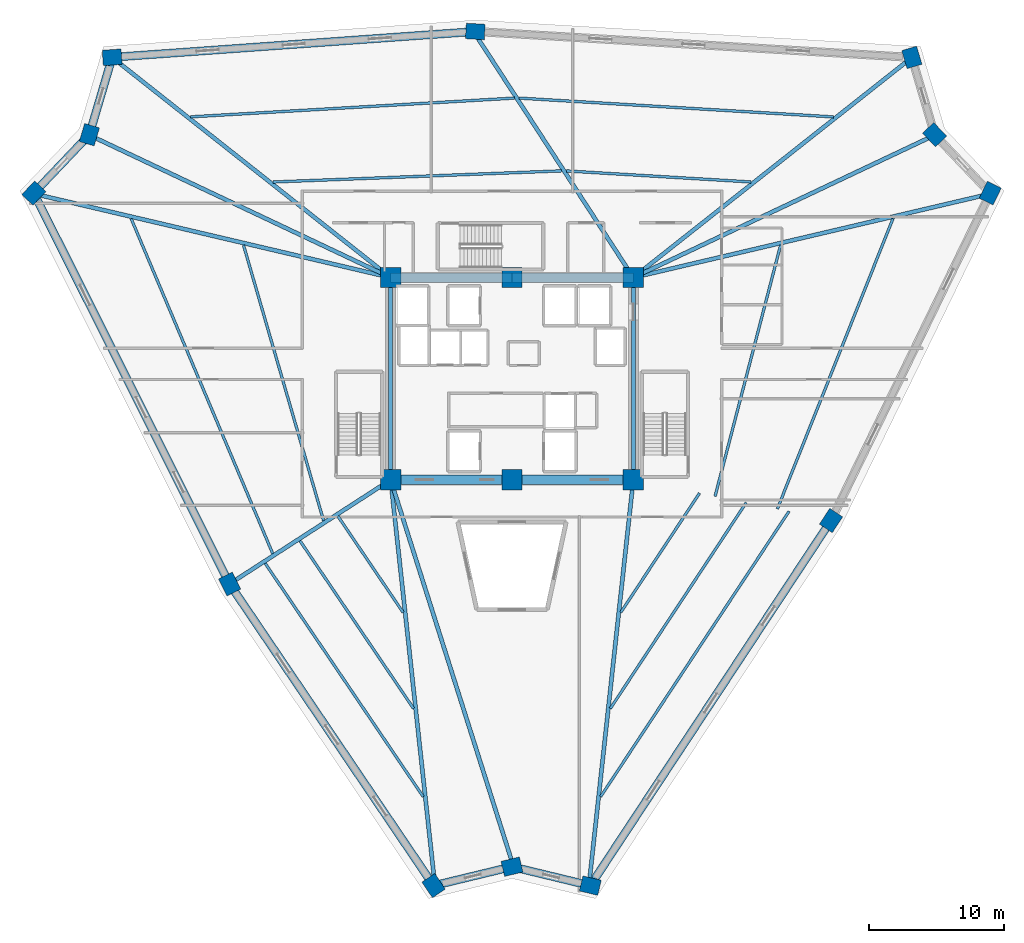
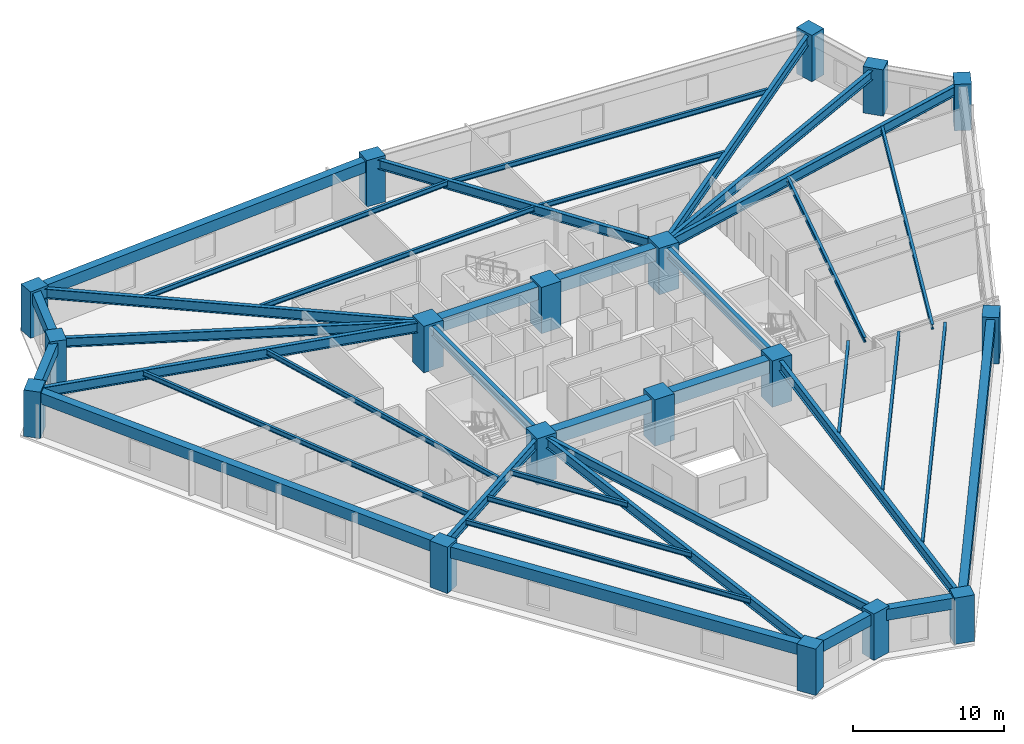
# One storey, part 1 of 8: 39 beams, 18 columns.
"""IFC4 building model written with IfcOpenShell, lengths in metres."""

from ifc_helpers import new_model, si_unit, direction, frame, origin, origin_2d, place, context, subcontext, project, spatial, rectangle, i_section, extrude, source, transform, mapped, material, material_profile, profile_set, type_object, element, save


model = new_model("IFC4")

# Units and contexts
model_context = context("Model", 3, precision=1e-05, world=origin(), true_north=direction((0.0, 1.0)))
body_context = subcontext(model_context, "Body", "Model", "MODEL_VIEW")
ifc_project = project(units=[si_unit("LENGTHUNIT", "METRE"), si_unit("AREAUNIT", "SQUARE_METRE"), si_unit("VOLUMEUNIT", "CUBIC_METRE"), si_unit("PLANEANGLEUNIT", "RADIAN"), si_unit("MASSUNIT", "GRAM", prefix="KILO")], contexts=[model_context])

# Site, building, storey
site_placement = place(None, origin())
site = spatial("IfcSite", under=ifc_project, at=site_placement, CompositionType="ELEMENT")
building_placement = place(site_placement, origin())
building = spatial("IfcBuilding", under=site, at=building_placement, Name="Liaohun Quay Tower", CompositionType="ELEMENT")
storey_placement = place(building_placement, frame((0.0, 0.0, 151.5)))
storey = spatial("IfcBuildingStorey", under=building, at=storey_placement, Name="L39", CompositionType="ELEMENT", Elevation=151.5)

# Columns
ifc_material_1 = material(Name="Concrete C60", Category="concrete")
ifc_material_profile_1 = material_profile(ifc_material_1, rectangle(XDim=1.5, YDim=1.5, at=origin_2d()), Name="RC1500x1500")
ifc_profile_set_1 = profile_set([ifc_material_profile_1], Name="Concrete C60")
column_type_1 = type_object("IfcColumnType", Name="COL-CC-Z2", PredefinedType="COLUMN", material=ifc_profile_set_1)
shared_shape_1 = source(origin(), body_context, "Body", "SweptSolid", [
    extrude(rectangle(XDim=1.5, YDim=1.5, at=origin_2d()), origin(), (0.0, 0.0, 1.0), 3.75),
])
for number, where, z_axis, x_axis, name in (
    (1, (51.0, 46.5, 0.0), (0.0, 0.0, 1.0), (1.0, 0.0, 0.0), "L39 Core Column CC1"),
    (2, (60.0, 46.5, 0.0), (0.0, 0.0, 1.0), (1.0, 0.0, 0.0), "L39 Core Column CC2"),
    (3, (69.0, 46.5, 0.0), (0.0, 0.0, 1.0), (1.0, 0.0, 0.0), "L39 Core Column CC3"),
    (4, (69.0, 61.5, 0.0), (0.0, 0.0, 1.0), (1.0, 0.0, 0.0), "L39 Core Column CC4"),
    (5, (60.0, 61.5, 0.0), (0.0, 0.0, 1.0), (1.0, 0.0, 0.0), "L39 Core Column CC5"),
    (6, (51.0, 61.5, 0.0), (0.0, 0.0, 1.0), (1.0, 0.0, 0.0), "L39 Core Column CC6"),
):
    element("IfcColumn", number, at=place(storey_placement, frame(where, z_axis=z_axis, x_axis=x_axis)), inside=storey, type_object=column_type_1, Name=name, PredefinedType="COLUMN", context=body_context, shape_type="MappedRepresentation", body=[
        mapped(shared_shape_1, transform((0.0, 0.0, 0.0), x_axis=(1.0, 0.0, 0.0), y_axis=(0.0, 1.0, 0.0), z_axis=(0.0, 0.0, 1.0), scale=1.0)),
    ])
ifc_material_profile_2 = material_profile(ifc_material_1, rectangle(XDim=1.39990234375, YDim=1.14990234375, at=origin_2d()), Name="RC1400x1150")
ifc_profile_set_2 = profile_set([ifc_material_profile_2], Name="Concrete C60")
column_type_2 = type_object("IfcColumnType", Name="COL-PIER-Z2", PredefinedType="COLUMN", material=ifc_profile_set_2)
shared_shape_2 = source(origin(), body_context, "Body", "SweptSolid", [
    extrude(rectangle(XDim=1.39990234375, YDim=1.14990234375, at=origin_2d()), origin(), (0.0, 0.0, 1.0), 3.75),
])
for number, where, z_axis, x_axis, name in (
    (7, (54.18505859375, 16.39794921875, 0.0), (0.0, 0.0, 1.0), (-0.560205346355, 0.828353770991, 0.0), "L39 Perimeter Pier PC01"),
    (8, (39.056884765625, 38.764892578125, 0.0), (0.0, 0.0, 1.0), (-0.447759087839, 0.894154236839, 0.0), "L39 Perimeter Pier PC02"),
    (9, (24.532958984375, 67.77001953125, 0.0), (0.0, 0.0, 1.0), (0.689240273721, 0.724532846102, 0.0), "L39 Perimeter Pier PC03"),
    (10, (28.652099609375, 72.09912109375, 0.0), (0.0, 0.0, 1.0), (0.282676303383, 0.959215360337, 0.0), "L39 Perimeter Pier PC04"),
    (11, (30.343994140625, 77.8369140625, 0.0), (0.0, 0.0, 1.0), (0.997478082177, 0.070975175783, 0.0), "L39 Perimeter Pier PC05"),
    (12, (57.278076171875, 79.75390625, 0.0), (0.0, 0.0, 1.0), (-0.998239827924, 0.059306373576, 0.0), "L39 Perimeter Pier PC06"),
    (13, (89.657958984375, 77.830078125, 0.0), (0.0, 0.0, 1.0), (-0.282676303383, 0.959215360337, 0.0), "L39 Perimeter Pier PC07"),
    (14, (91.347900390625, 72.09912109375, 0.0), (0.0, 0.0, 1.0), (-0.689240273721, 0.724532846102, 0.0), "L39 Perimeter Pier PC08"),
    (15, (95.471923828125, 67.763916015625, 0.0), (0.0, 0.0, 1.0), (0.437272735822, 0.899328946775, 0.0), "L39 Perimeter Pier PC09"),
    (16, (83.666015625, 43.48095703125, 0.0), (0.0, 0.0, 1.0), (0.550480740085, 0.834847863263, 0.0), "L39 Perimeter Pier PC10"),
    (17, (65.80810546875, 16.39892578125, 0.0), (0.0, 0.0, 1.0), (-0.972043021443, 0.234802820391, 0.0), "L39 Perimeter Pier PC11"),
    (18, (60.0, 17.802001953125, 0.0), (0.0, 0.0, 1.0), (0.972043021443, 0.234802820391, 0.0), "L39 Perimeter Pier PC12"),
):
    element("IfcColumn", number, at=place(storey_placement, frame(where, z_axis=z_axis, x_axis=x_axis)), inside=storey, type_object=column_type_2, Name=name, PredefinedType="COLUMN", context=body_context, shape_type="MappedRepresentation", body=[
        mapped(shared_shape_2, transform((0.0, 0.0, 0.0), x_axis=(1.0, 0.0, 0.0), y_axis=(0.0, 1.0, 0.0), z_axis=(0.0, 0.0, 1.0), scale=1.0)),
    ])

# Beams
ifc_material_profile_3 = material_profile(ifc_material_1, rectangle(XDim=0.699951171875, YDim=1.050048828125, at=origin_2d()), Name="RC700x1050")
ifc_profile_set_3 = profile_set([ifc_material_profile_3], Name="Concrete C60")
beam_type_1 = type_object("IfcBeamType", Name="BM-CPL-1", PredefinedType="LINTEL", material=ifc_profile_set_3)
shared_shape_3 = source(origin(), body_context, "Body", "SweptSolid", [
    extrude(rectangle(XDim=0.699951171875, YDim=1.050048828125, at=origin_2d()), origin(), (0.0, 0.0, 1.0), 9.0),
])
for number, where, z_axis, x_axis, name in (
    (19, (51.0, 46.5, 3.044921875), (1.0, 0.0, 0.0), (0.0, 1.0, 0.0), "L39 Core Coupling/Ring Beam CC1-CC2"),
    (20, (60.0, 46.5, 3.044921875), (1.0, 0.0, 0.0), (0.0, 1.0, 0.0), "L39 Core Coupling/Ring Beam CC2-CC3"),
    (21, (69.0, 61.5, 3.044921875), (-1.0, 0.0, 0.0), (0.0, -1.0, 0.0), "L39 Core Coupling/Ring Beam CC4-CC5"),
    (22, (60.0, 61.5, 3.044921875), (-1.0, 0.0, 0.0), (0.0, -1.0, 0.0), "L39 Core Coupling/Ring Beam CC5-CC6"),
):
    element("IfcBeam", number, at=place(storey_placement, frame(where, z_axis=z_axis, x_axis=x_axis)), inside=storey, type_object=beam_type_1, Name=name, PredefinedType="LINTEL", context=body_context, shape_type="MappedRepresentation", body=[
        mapped(shared_shape_3, transform((0.0, 0.0, 0.0), x_axis=(1.0, 0.0, 0.0), y_axis=(0.0, 1.0, 0.0), z_axis=(0.0, 0.0, 1.0), scale=1.0)),
    ])
ifc_material_2 = material(Name="Steel Q355D", Category="steel")
ifc_material_profile_4 = material_profile(ifc_material_2, i_section(OverallWidth=0.300048828125, OverallDepth=0.800048828125, WebThickness=0.013916015625, FlangeThickness=0.02587890625, at=origin_2d()), Name="HN800x300x14x26")
ifc_profile_set_4 = profile_set([ifc_material_profile_4], Name="Steel Q355D")
beam_type_2 = type_object("IfcBeamType", Name="BM-RAD-M1", PredefinedType="BEAM", material=ifc_profile_set_4)
shared_shape_4 = source(origin(), body_context, "Body", "SweptSolid", [
    extrude(i_section(OverallWidth=0.300048828125, OverallDepth=0.800048828125, WebThickness=0.013916015625, FlangeThickness=0.02587890625, at=origin_2d()), origin(), (0.0, 0.0, 1.0), 15.0),
])
for number, where, z_axis, x_axis, name in (
    (23, (69.0, 46.5, 3.169921875), (0.0, 1.0, 0.0), (-1.0, 0.0, 0.0), "L39 Core Coupling/Ring Beam CC3-CC4"),
    (24, (51.0, 61.5, 3.169921875), (0.0, -1.0, 0.0), (1.0, 0.0, 0.0), "L39 Core Coupling/Ring Beam CC6-CC1"),
):
    element("IfcBeam", number, at=place(storey_placement, frame(where, z_axis=z_axis, x_axis=x_axis)), inside=storey, type_object=beam_type_2, Name=name, PredefinedType="BEAM", context=body_context, shape_type="MappedRepresentation", body=[
        mapped(shared_shape_4, transform((0.0, 0.0, 0.0), x_axis=(1.0, 0.0, 0.0), y_axis=(0.0, 1.0, 0.0), z_axis=(0.0, 0.0, 1.0), scale=1.0)),
    ])
ifc_material_3 = material(Name="Precast concrete C55", Category="concrete")
ifc_material_profile_5 = material_profile(ifc_material_3, rectangle(XDim=0.60009765625, YDim=0.89990234375, at=origin_2d()), Name="RC600x900")
ifc_profile_set_5 = profile_set([ifc_material_profile_5], Name="Precast concrete C55")
beam_type_3 = type_object("IfcBeamType", Name="BM-SPD-Z2", PredefinedType="SPANDREL", material=ifc_profile_set_5)
shared_shape_5 = source(origin(), body_context, "Body", "SweptSolid", [
    extrude(rectangle(XDim=0.60009765625, YDim=0.89990234375, at=origin_2d()), origin(), (0.0, 0.0, 1.0), 27.002685546875),
])
beam_1_placement = place(storey_placement, frame((54.18505859375, 16.39794921875, 3.1201171875), z_axis=(-0.560248249764, 0.828324754331, 0.0), x_axis=(-0.828324754331, -0.560248249764, 0.0)))
element("IfcBeam", 25, at=beam_1_placement, inside=storey, type_object=beam_type_3, Name="L39 Precast Spandrel Beam PC01-PC02", PredefinedType="SPANDREL", context=body_context, shape_type="MappedRepresentation", body=[
    mapped(shared_shape_5, transform((0.0, 0.0, 0.0), x_axis=(1.0, 0.0, 0.0), y_axis=(0.0, 1.0, 0.0), z_axis=(0.0, 0.0, 1.0), scale=1.0)),
])
shared_shape_6 = source(origin(), body_context, "Body", "SweptSolid", [
    extrude(rectangle(XDim=0.60009765625, YDim=0.89990234375, at=origin_2d()), origin(), (0.0, 0.0, 1.0), 32.438232421875),
])
beam_2_placement = place(storey_placement, frame((39.056884765625, 38.764892578125, 3.1201171875), z_axis=(-0.447740359828, 0.894163614883, 0.0), x_axis=(-0.894163614883, -0.447740359828, 0.0)))
element("IfcBeam", 26, at=beam_2_placement, inside=storey, type_object=beam_type_3, Name="L39 Precast Spandrel Beam PC02-PC03", PredefinedType="SPANDREL", context=body_context, shape_type="MappedRepresentation", body=[
    mapped(shared_shape_6, transform((0.0, 0.0, 0.0), x_axis=(1.0, 0.0, 0.0), y_axis=(0.0, 1.0, 0.0), z_axis=(0.0, 0.0, 1.0), scale=1.0)),
])
shared_shape_7 = source(origin(), body_context, "Body", "SweptSolid", [
    extrude(rectangle(XDim=0.60009765625, YDim=0.89990234375, at=origin_2d()), origin(), (0.0, 0.0, 1.0), 5.9755859375),
])
beam_3_placement = place(storey_placement, frame((24.532958984375, 67.77001953125, 3.1201171875), z_axis=(0.689320478889, 0.724456539335, 0.0), x_axis=(-0.724456539335, 0.689320478889, 0.0)))
element("IfcBeam", 27, at=beam_3_placement, inside=storey, type_object=beam_type_3, Name="L39 Precast Spandrel Beam PC03-PC04", PredefinedType="SPANDREL", context=body_context, shape_type="MappedRepresentation", body=[
    mapped(shared_shape_7, transform((0.0, 0.0, 0.0), x_axis=(1.0, 0.0, 0.0), y_axis=(0.0, 1.0, 0.0), z_axis=(0.0, 0.0, 1.0), scale=1.0)),
])
shared_shape_8 = source(origin(), body_context, "Body", "SweptSolid", [
    extrude(rectangle(XDim=0.60009765625, YDim=0.89990234375, at=origin_2d()), origin(), (0.0, 0.0, 1.0), 5.98193359375),
])
for number, where, z_axis, x_axis, name in (
    (28, (28.652099609375, 72.09912109375, 3.1201171875), (0.28282913132, 0.959170309422, 0.0), (-0.959170309422, 0.28282913132, 0.0), "L39 Precast Spandrel Beam PC04-PC05"),
    (29, (60.0, 17.802001953125, 3.1201171875), (-0.972065193288, -0.234711013796, 0.0), (0.234711013796, -0.972065193288, 0.0), "L39 Precast Spandrel Beam PC12-PC01"),
):
    element("IfcBeam", number, at=place(storey_placement, frame(where, z_axis=z_axis, x_axis=x_axis)), inside=storey, type_object=beam_type_3, Name=name, PredefinedType="SPANDREL", context=body_context, shape_type="MappedRepresentation", body=[
        mapped(shared_shape_8, transform((0.0, 0.0, 0.0), x_axis=(1.0, 0.0, 0.0), y_axis=(0.0, 1.0, 0.0), z_axis=(0.0, 0.0, 1.0), scale=1.0)),
    ])
shared_shape_9 = source(origin(), body_context, "Body", "SweptSolid", [
    extrude(rectangle(XDim=0.60009765625, YDim=0.89990234375, at=origin_2d()), origin(), (0.0, 0.0, 1.0), 27.002197265625),
])
beam_4_placement = place(storey_placement, frame((30.343994140625, 77.8369140625, 3.1201171875), z_axis=(0.997476750711, 0.070993885595, 0.0), x_axis=(-0.070993885595, 0.997476750711, 0.0)))
element("IfcBeam", 30, at=beam_4_placement, inside=storey, type_object=beam_type_3, Name="L39 Precast Spandrel Beam PC05-PC06", PredefinedType="SPANDREL", context=body_context, shape_type="MappedRepresentation", body=[
    mapped(shared_shape_9, transform((0.0, 0.0, 0.0), x_axis=(1.0, 0.0, 0.0), y_axis=(0.0, 1.0, 0.0), z_axis=(0.0, 0.0, 1.0), scale=1.0)),
])
shared_shape_10 = source(origin(), body_context, "Body", "SweptSolid", [
    extrude(rectangle(XDim=0.60009765625, YDim=0.89990234375, at=origin_2d()), origin(), (0.0, 0.0, 1.0), 32.439697265625),
])
beam_5_placement = place(storey_placement, frame((83.666015625, 43.48095703125, 3.1201171875), z_axis=(-0.550493647058, -0.83483935254, 0.0), x_axis=(0.83483935254, -0.550493647058, 0.0)))
element("IfcBeam", 31, at=beam_5_placement, inside=storey, type_object=beam_type_3, Name="L39 Precast Spandrel Beam PC10-PC11", PredefinedType="SPANDREL", context=body_context, shape_type="MappedRepresentation", body=[
    mapped(shared_shape_10, transform((0.0, 0.0, 0.0), x_axis=(1.0, 0.0, 0.0), y_axis=(0.0, 1.0, 0.0), z_axis=(0.0, 0.0, 1.0), scale=1.0)),
])
shared_shape_11 = source(origin(), body_context, "Body", "SweptSolid", [
    extrude(rectangle(XDim=0.60009765625, YDim=0.89990234375, at=origin_2d()), origin(), (0.0, 0.0, 1.0), 5.97509765625),
])
beam_6_placement = place(storey_placement, frame((65.80810546875, 16.39892578125, 3.1201171875), z_axis=(-0.972039451008, 0.23481760088, 0.0), x_axis=(-0.23481760088, -0.972039451008, 0.0)))
element("IfcBeam", 32, at=beam_6_placement, inside=storey, type_object=beam_type_3, Name="L39 Precast Spandrel Beam PC11-PC12", PredefinedType="SPANDREL", context=body_context, shape_type="MappedRepresentation", body=[
    mapped(shared_shape_11, transform((0.0, 0.0, 0.0), x_axis=(1.0, 0.0, 0.0), y_axis=(0.0, 1.0, 0.0), z_axis=(0.0, 0.0, 1.0), scale=1.0)),
])
shared_shape_12 = source(origin(), body_context, "Body", "SweptSolid", [
    extrude(i_section(OverallWidth=0.300048828125, OverallDepth=0.800048828125, WebThickness=0.013916015625, FlangeThickness=0.02587890625, at=origin_2d()), origin(), (0.0, 0.0, 1.0), 29.894775390625),
])
beam_7_placement = place(storey_placement, frame((51.0, 46.5, 3.169921875), z_axis=(0.108551694289, -0.994090805544, 0.0), x_axis=(0.994090805544, 0.108551694289, 0.0)))
element("IfcBeam", 33, at=beam_7_placement, inside=storey, type_object=beam_type_2, Name="L39 Radial Primary Girder CC1-PC01", PredefinedType="BEAM", context=body_context, shape_type="MappedRepresentation", body=[
    mapped(shared_shape_12, transform((0.0, 0.0, 0.0), x_axis=(1.0, 0.0, 0.0), y_axis=(0.0, 1.0, 0.0), z_axis=(0.0, 0.0, 1.0), scale=1.0)),
])
ifc_material_profile_6 = material_profile(ifc_material_2, i_section(OverallWidth=0.300048828125, OverallDepth=0.75, WebThickness=0.013916015625, FlangeThickness=0.02587890625, at=origin_2d()), Name="HN750x300x14x26")
ifc_profile_set_6 = profile_set([ifc_material_profile_6], Name="Steel Q355D")
beam_type_4 = type_object("IfcBeamType", Name="BM-RAD-M2", PredefinedType="BEAM", material=ifc_profile_set_6)
shared_shape_13 = source(origin(), body_context, "Body", "SweptSolid", [
    extrude(i_section(OverallWidth=0.300048828125, OverallDepth=0.75, WebThickness=0.013916015625, FlangeThickness=0.02587890625, at=origin_2d()), origin(), (0.0, 0.0, 1.0), 13.97802734375),
])
beam_8_placement = place(storey_placement, frame((51.0, 46.5, 3.195068359375), z_axis=(-0.839881635837, -0.54276959917, 0.0), x_axis=(0.54276959917, -0.839881635837, 0.0)))
element("IfcBeam", 34, at=beam_8_placement, inside=storey, type_object=beam_type_4, Name="L39 Radial Primary Girder CC1-PC02", PredefinedType="BEAM", context=body_context, shape_type="MappedRepresentation", body=[
    mapped(shared_shape_13, transform((0.0, 0.0, 0.0), x_axis=(1.0, 0.0, 0.0), y_axis=(0.0, 1.0, 0.0), z_axis=(0.0, 0.0, 1.0), scale=1.0)),
])
shared_shape_14 = source(origin(), body_context, "Body", "SweptSolid", [
    extrude(i_section(OverallWidth=0.300048828125, OverallDepth=0.800048828125, WebThickness=0.013916015625, FlangeThickness=0.02587890625, at=origin_2d()), origin(), (0.0, 0.0, 1.0), 26.815185546875),
])
beam_9_placement = place(storey_placement, frame((51.0, 61.5, 3.169921875), z_axis=(-0.973510580273, 0.228641969235, 0.0), x_axis=(-0.228641969235, -0.973510580273, 0.0)))
element("IfcBeam", 35, at=beam_9_placement, inside=storey, type_object=beam_type_2, Name="L39 Radial Primary Girder CC6-PC03", PredefinedType="BEAM", context=body_context, shape_type="MappedRepresentation", body=[
    mapped(shared_shape_14, transform((0.0, 0.0, 0.0), x_axis=(1.0, 0.0, 0.0), y_axis=(0.0, 1.0, 0.0), z_axis=(0.0, 0.0, 1.0), scale=1.0)),
])
shared_shape_15 = source(origin(), body_context, "Body", "SweptSolid", [
    extrude(i_section(OverallWidth=0.300048828125, OverallDepth=0.75, WebThickness=0.013916015625, FlangeThickness=0.02587890625, at=origin_2d()), origin(), (0.0, 0.0, 1.0), 24.366943359375),
])
for number, where, z_axis, x_axis, name in (
    (36, (51.0, 61.5, 3.195068359375), (-0.904051571704, 0.427423391616, 0.0), (-0.427423391616, -0.904051571704, 0.0), "L39 Radial Primary Girder CC6-PC04"),
    (37, (69.0, 61.5, 3.195068359375), (0.904051571704, 0.427423391616, 0.0), (-0.427423391616, 0.904051571704, 0.0), "L39 Radial Primary Girder CC4-PC08"),
):
    element("IfcBeam", number, at=place(storey_placement, frame(where, z_axis=z_axis, x_axis=x_axis)), inside=storey, type_object=beam_type_4, Name=name, PredefinedType="BEAM", context=body_context, shape_type="MappedRepresentation", body=[
        mapped(shared_shape_15, transform((0.0, 0.0, 0.0), x_axis=(1.0, 0.0, 0.0), y_axis=(0.0, 1.0, 0.0), z_axis=(0.0, 0.0, 1.0), scale=1.0)),
    ])
shared_shape_16 = source(origin(), body_context, "Body", "SweptSolid", [
    extrude(i_section(OverallWidth=0.300048828125, OverallDepth=0.800048828125, WebThickness=0.013916015625, FlangeThickness=0.02587890625, at=origin_2d()), origin(), (0.0, 0.0, 1.0), 25.947509765625),
])
beam_10_placement = place(storey_placement, frame((51.0, 61.5, 3.169921875), z_axis=(-0.784464240313, 0.620174052723, 0.0), x_axis=(-0.620174052723, -0.784464240313, 0.0)))
element("IfcBeam", 38, at=beam_10_placement, inside=storey, type_object=beam_type_2, Name="L39 Radial Primary Girder CC6-PC05", PredefinedType="BEAM", context=body_context, shape_type="MappedRepresentation", body=[
    mapped(shared_shape_16, transform((0.0, 0.0, 0.0), x_axis=(1.0, 0.0, 0.0), y_axis=(0.0, 1.0, 0.0), z_axis=(0.0, 0.0, 1.0), scale=1.0)),
])
shared_shape_17 = source(origin(), body_context, "Body", "SweptSolid", [
    extrude(i_section(OverallWidth=0.300048828125, OverallDepth=0.75, WebThickness=0.013916015625, FlangeThickness=0.02587890625, at=origin_2d()), origin(), (0.0, 0.0, 1.0), 21.4697265625),
])
beam_11_placement = place(storey_placement, frame((69.0, 61.5, 3.195068359375), z_axis=(-0.544722924618, 0.838616083435, 0.0), x_axis=(-0.838616083435, -0.544722924618, 0.0)))
element("IfcBeam", 39, at=beam_11_placement, inside=storey, type_object=beam_type_4, Name="L39 Radial Primary Girder CC4-PC06", PredefinedType="BEAM", context=body_context, shape_type="MappedRepresentation", body=[
    mapped(shared_shape_17, transform((0.0, 0.0, 0.0), x_axis=(1.0, 0.0, 0.0), y_axis=(0.0, 1.0, 0.0), z_axis=(0.0, 0.0, 1.0), scale=1.0)),
])
shared_shape_18 = source(origin(), body_context, "Body", "SweptSolid", [
    extrude(i_section(OverallWidth=0.300048828125, OverallDepth=0.800048828125, WebThickness=0.013916015625, FlangeThickness=0.02587890625, at=origin_2d()), origin(), (0.0, 0.0, 1.0), 25.94482421875),
])
beam_12_placement = place(storey_placement, frame((69.0, 61.5, 3.169921875), z_axis=(0.784625929971, 0.619969475069, 0.0), x_axis=(-0.619969475069, 0.784625929971, 0.0)))
element("IfcBeam", 40, at=beam_12_placement, inside=storey, type_object=beam_type_2, Name="L39 Radial Primary Girder CC4-PC07", PredefinedType="BEAM", context=body_context, shape_type="MappedRepresentation", body=[
    mapped(shared_shape_18, transform((0.0, 0.0, 0.0), x_axis=(1.0, 0.0, 0.0), y_axis=(0.0, 1.0, 0.0), z_axis=(0.0, 0.0, 1.0), scale=1.0)),
])
shared_shape_19 = source(origin(), body_context, "Body", "SweptSolid", [
    extrude(i_section(OverallWidth=0.300048828125, OverallDepth=0.800048828125, WebThickness=0.013916015625, FlangeThickness=0.02587890625, at=origin_2d()), origin(), (0.0, 0.0, 1.0), 26.819091796875),
])
beam_13_placement = place(storey_placement, frame((69.0, 61.5, 3.169921875), z_axis=(0.973563099437, 0.228418237922, 0.0), x_axis=(-0.228418237922, 0.973563099437, 0.0)))
element("IfcBeam", 41, at=beam_13_placement, inside=storey, type_object=beam_type_2, Name="L39 Radial Primary Girder CC4-PC09", PredefinedType="BEAM", context=body_context, shape_type="MappedRepresentation", body=[
    mapped(shared_shape_19, transform((0.0, 0.0, 0.0), x_axis=(1.0, 0.0, 0.0), y_axis=(0.0, 1.0, 0.0), z_axis=(0.0, 0.0, 1.0), scale=1.0)),
])
shared_shape_20 = source(origin(), body_context, "Body", "SweptSolid", [
    extrude(i_section(OverallWidth=0.300048828125, OverallDepth=0.800048828125, WebThickness=0.013916015625, FlangeThickness=0.02587890625, at=origin_2d()), origin(), (0.0, 0.0, 1.0), 29.89453125),
])
beam_14_placement = place(storey_placement, frame((69.0, 46.5, 3.169921875), z_axis=(-0.108813471449, -0.994062185395, 0.0), x_axis=(0.994062185395, -0.108813471449, 0.0)))
element("IfcBeam", 42, at=beam_14_placement, inside=storey, type_object=beam_type_2, Name="L39 Radial Primary Girder CC3-PC11", PredefinedType="BEAM", context=body_context, shape_type="MappedRepresentation", body=[
    mapped(shared_shape_20, transform((0.0, 0.0, 0.0), x_axis=(1.0, 0.0, 0.0), y_axis=(0.0, 1.0, 0.0), z_axis=(0.0, 0.0, 1.0), scale=1.0)),
])
shared_shape_21 = source(origin(), body_context, "Body", "SweptSolid", [
    extrude(i_section(OverallWidth=0.300048828125, OverallDepth=0.75, WebThickness=0.013916015625, FlangeThickness=0.02587890625, at=origin_2d()), origin(), (0.0, 0.0, 1.0), 29.724365234375),
])
beam_15_placement = place(storey_placement, frame((51.0, 46.5, 3.195068359375), z_axis=(0.302781889044, -0.953059876223, 0.0), x_axis=(0.953059876223, 0.302781889044, 0.0)))
element("IfcBeam", 43, at=beam_15_placement, inside=storey, type_object=beam_type_4, Name="L39 Radial Primary Girder CC1-PC12", PredefinedType="BEAM", context=body_context, shape_type="MappedRepresentation", body=[
    mapped(shared_shape_21, transform((0.0, 0.0, 0.0), x_axis=(1.0, 0.0, 0.0), y_axis=(0.0, 1.0, 0.0), z_axis=(0.0, 0.0, 1.0), scale=1.0)),
])
ifc_material_profile_7 = material_profile(ifc_material_2, i_section(OverallWidth=0.199951171875, OverallDepth=0.39990234375, WebThickness=0.008056640625, FlangeThickness=0.012939453125, at=origin_2d()), Name="HN400x200x8x13")
ifc_profile_set_7 = profile_set([ifc_material_profile_7], Name="Steel Q355D")
beam_type_5 = type_object("IfcBeamType", Name="BM-SEC-J2", PredefinedType="JOIST", material=ifc_profile_set_7)
shared_shape_22 = source(origin(), body_context, "Body", "SweptSolid", [
    extrude(i_section(OverallWidth=0.199951171875, OverallDepth=0.39990234375, WebThickness=0.008056640625, FlangeThickness=0.012939453125, at=origin_2d()), origin(), (0.0, 0.0, 1.0), 8.615234375),
])
beam_16_placement = place(storey_placement, frame((51.923095703125, 36.662109375, 3.3701171875), z_axis=(-0.560650123025, 0.828052799979, 0.0), x_axis=(-0.828052799979, -0.560650123025, 0.0)))
element("IfcBeam", 44, at=beam_16_placement, inside=storey, type_object=beam_type_5, Name="L39 Wing Secondary Floor Joist SJ-01", PredefinedType="JOIST", context=body_context, shape_type="MappedRepresentation", body=[
    mapped(shared_shape_22, transform((0.0, 0.0, 0.0), x_axis=(1.0, 0.0, 0.0), y_axis=(0.0, 1.0, 0.0), z_axis=(0.0, 0.0, 1.0), scale=1.0)),
])
shared_shape_23 = source(origin(), body_context, "Body", "SweptSolid", [
    extrude(i_section(OverallWidth=0.199951171875, OverallDepth=0.39990234375, WebThickness=0.008056640625, FlangeThickness=0.012939453125, at=origin_2d()), origin(), (0.0, 0.0, 1.0), 15.030517578125),
])
beam_17_placement = place(storey_placement, frame((52.701904296875, 29.529052734375, 3.3701171875), z_axis=(-0.560657061526, 0.828048102081, 0.0), x_axis=(-0.828048102081, -0.560657061526, 0.0)))
element("IfcBeam", 45, at=beam_17_placement, inside=storey, type_object=beam_type_5, Name="L39 Wing Secondary Floor Joist SJ-02", PredefinedType="JOIST", context=body_context, shape_type="MappedRepresentation", body=[
    mapped(shared_shape_23, transform((0.0, 0.0, 0.0), x_axis=(1.0, 0.0, 0.0), y_axis=(0.0, 1.0, 0.0), z_axis=(0.0, 0.0, 1.0), scale=1.0)),
])
shared_shape_24 = source(origin(), body_context, "Body", "SweptSolid", [
    extrude(i_section(OverallWidth=0.199951171875, OverallDepth=0.39990234375, WebThickness=0.008056640625, FlangeThickness=0.012939453125, at=origin_2d()), origin(), (0.0, 0.0, 1.0), 20.910888671875),
])
beam_18_placement = place(storey_placement, frame((53.416015625, 22.990966796875, 3.3701171875), z_axis=(-0.560672586266, 0.828037590336, 0.0), x_axis=(-0.828037590336, -0.560672586266, 0.0)))
element("IfcBeam", 46, at=beam_18_placement, inside=storey, type_object=beam_type_5, Name="L39 Wing Secondary Floor Joist SJ-03", PredefinedType="JOIST", context=body_context, shape_type="MappedRepresentation", body=[
    mapped(shared_shape_24, transform((0.0, 0.0, 0.0), x_axis=(1.0, 0.0, 0.0), y_axis=(0.0, 1.0, 0.0), z_axis=(0.0, 0.0, 1.0), scale=1.0)),
])
shared_shape_25 = source(origin(), body_context, "Body", "SweptSolid", [
    extrude(i_section(OverallWidth=0.199951171875, OverallDepth=0.39990234375, WebThickness=0.008056640625, FlangeThickness=0.012939453125, at=origin_2d()), origin(), (0.0, 0.0, 1.0), 21.291748046875),
])
beam_19_placement = place(storey_placement, frame((46.02587890625, 43.464111328125, 3.3701171875), z_axis=(-0.279070810069, 0.960270525929, 0.0), x_axis=(-0.960270525929, -0.279070810069, 0.0)))
element("IfcBeam", 47, at=beam_19_placement, inside=storey, type_object=beam_type_5, Name="L39 Wing Secondary Floor Joist SJ-04", PredefinedType="JOIST", context=body_context, shape_type="MappedRepresentation", body=[
    mapped(shared_shape_25, transform((0.0, 0.0, 0.0), x_axis=(1.0, 0.0, 0.0), y_axis=(0.0, 1.0, 0.0), z_axis=(0.0, 0.0, 1.0), scale=1.0)),
])
shared_shape_26 = source(origin(), body_context, "Body", "SweptSolid", [
    extrude(i_section(OverallWidth=0.199951171875, OverallDepth=0.39990234375, WebThickness=0.008056640625, FlangeThickness=0.012939453125, at=origin_2d()), origin(), (0.0, 0.0, 1.0), 26.96728515625),
])
beam_20_placement = place(storey_placement, frame((42.2529296875, 41.02587890625, 3.3701171875), z_axis=(-0.389287035607, 0.921116498554, 0.0), x_axis=(-0.921116498554, -0.389287035607, 0.0)))
element("IfcBeam", 48, at=beam_20_placement, inside=storey, type_object=beam_type_5, Name="L39 Wing Secondary Floor Joist SJ-05", PredefinedType="JOIST", context=body_context, shape_type="MappedRepresentation", body=[
    mapped(shared_shape_26, transform((0.0, 0.0, 0.0), x_axis=(1.0, 0.0, 0.0), y_axis=(0.0, 1.0, 0.0), z_axis=(0.0, 0.0, 1.0), scale=1.0)),
])
shared_shape_27 = source(origin(), body_context, "Body", "SweptSolid", [
    extrude(i_section(OverallWidth=0.199951171875, OverallDepth=0.39990234375, WebThickness=0.008056640625, FlangeThickness=0.012939453125, at=origin_2d()), origin(), (0.0, 0.0, 1.0), 21.421875),
])
beam_21_placement = place(storey_placement, frame((42.27392578125, 68.589111328125, 3.3701171875), z_axis=(0.999256470425, 0.038555237166, 0.0), x_axis=(-0.038555237166, 0.999256470425, 0.0)))
element("IfcBeam", 49, at=beam_21_placement, inside=storey, type_object=beam_type_5, Name="L39 Wing Secondary Floor Joist SJ-06", PredefinedType="JOIST", context=body_context, shape_type="MappedRepresentation", body=[
    mapped(shared_shape_27, transform((0.0, 0.0, 0.0), x_axis=(1.0, 0.0, 0.0), y_axis=(0.0, 1.0, 0.0), z_axis=(0.0, 0.0, 1.0), scale=1.0)),
])
shared_shape_28 = source(origin(), body_context, "Body", "SweptSolid", [
    extrude(i_section(OverallWidth=0.199951171875, OverallDepth=0.39990234375, WebThickness=0.008056640625, FlangeThickness=0.012939453125, at=origin_2d()), origin(), (0.0, 0.0, 1.0), 24.05029296875),
])
beam_22_placement = place(storey_placement, frame((36.1630859375, 73.4208984375, 3.3701171875), z_axis=(0.998321063897, 0.05792282262, 0.0), x_axis=(-0.05792282262, 0.998321063897, 0.0)))
element("IfcBeam", 50, at=beam_22_placement, inside=storey, type_object=beam_type_5, Name="L39 Wing Secondary Floor Joist SJ-07", PredefinedType="JOIST", context=body_context, shape_type="MappedRepresentation", body=[
    mapped(shared_shape_28, transform((0.0, 0.0, 0.0), x_axis=(1.0, 0.0, 0.0), y_axis=(0.0, 1.0, 0.0), z_axis=(0.0, 0.0, 1.0), scale=1.0)),
])
shared_shape_29 = source(origin(), body_context, "Body", "SweptSolid", [
    extrude(i_section(OverallWidth=0.199951171875, OverallDepth=0.39990234375, WebThickness=0.008056640625, FlangeThickness=0.012939453125, at=origin_2d()), origin(), (0.0, 0.0, 1.0), 13.71630859375),
])
beam_23_placement = place(storey_placement, frame((64.0400390625, 69.410888671875, 3.3701171875), z_axis=(0.998212201621, -0.059769561946, 0.0), x_axis=(0.059769561946, 0.998212201621, 0.0)))
element("IfcBeam", 51, at=beam_23_placement, inside=storey, type_object=beam_type_5, Name="L39 Wing Secondary Floor Joist SJ-08", PredefinedType="JOIST", context=body_context, shape_type="MappedRepresentation", body=[
    mapped(shared_shape_29, transform((0.0, 0.0, 0.0), x_axis=(1.0, 0.0, 0.0), y_axis=(0.0, 1.0, 0.0), z_axis=(0.0, 0.0, 1.0), scale=1.0)),
])
shared_shape_30 = source(origin(), body_context, "Body", "SweptSolid", [
    extrude(i_section(OverallWidth=0.199951171875, OverallDepth=0.39990234375, WebThickness=0.008056640625, FlangeThickness=0.012939453125, at=origin_2d()), origin(), (0.0, 0.0, 1.0), 23.348876953125),
])
beam_24_placement = place(storey_placement, frame((60.531982421875, 74.81298828125, 3.3701171875), z_axis=(0.998208569248, -0.059830195391, 0.0), x_axis=(0.059830195391, 0.998208569248, 0.0)))
element("IfcBeam", 52, at=beam_24_placement, inside=storey, type_object=beam_type_5, Name="L39 Wing Secondary Floor Joist SJ-09", PredefinedType="JOIST", context=body_context, shape_type="MappedRepresentation", body=[
    mapped(shared_shape_30, transform((0.0, 0.0, 0.0), x_axis=(1.0, 0.0, 0.0), y_axis=(0.0, 1.0, 0.0), z_axis=(0.0, 0.0, 1.0), scale=1.0)),
])
shared_shape_31 = source(origin(), body_context, "Body", "SweptSolid", [
    extrude(i_section(OverallWidth=0.199951171875, OverallDepth=0.39990234375, WebThickness=0.008056640625, FlangeThickness=0.012939453125, at=origin_2d()), origin(), (0.0, 0.0, 1.0), 19.25830078125),
])
beam_25_placement = place(storey_placement, frame((79.923095703125, 63.908935546875, 3.3701171875), z_axis=(-0.252363581901, -0.967632483193, 0.0), x_axis=(0.967632483193, -0.252363581901, 0.0)))
element("IfcBeam", 53, at=beam_25_placement, inside=storey, type_object=beam_type_5, Name="L39 Wing Secondary Floor Joist SJ-10", PredefinedType="JOIST", context=body_context, shape_type="MappedRepresentation", body=[
    mapped(shared_shape_31, transform((0.0, 0.0, 0.0), x_axis=(1.0, 0.0, 0.0), y_axis=(0.0, 1.0, 0.0), z_axis=(0.0, 0.0, 1.0), scale=1.0)),
])
shared_shape_32 = source(origin(), body_context, "Body", "SweptSolid", [
    extrude(i_section(OverallWidth=0.199951171875, OverallDepth=0.39990234375, WebThickness=0.008056640625, FlangeThickness=0.012939453125, at=origin_2d()), origin(), (0.0, 0.0, 1.0), 23.165771484375),
])
beam_26_placement = place(storey_placement, frame((88.25390625, 65.863037109375, 3.3701171875), z_axis=(-0.369976587417, -0.929041078082, 0.0), x_axis=(0.929041078082, -0.369976587417, 0.0)))
element("IfcBeam", 54, at=beam_26_placement, inside=storey, type_object=beam_type_5, Name="L39 Wing Secondary Floor Joist SJ-11", PredefinedType="JOIST", context=body_context, shape_type="MappedRepresentation", body=[
    mapped(shared_shape_32, transform((0.0, 0.0, 0.0), x_axis=(1.0, 0.0, 0.0), y_axis=(0.0, 1.0, 0.0), z_axis=(0.0, 0.0, 1.0), scale=1.0)),
])
shared_shape_33 = source(origin(), body_context, "Body", "SweptSolid", [
    extrude(i_section(OverallWidth=0.199951171875, OverallDepth=0.39990234375, WebThickness=0.008056640625, FlangeThickness=0.012939453125, at=origin_2d()), origin(), (0.0, 0.0, 1.0), 10.58935546875),
])
beam_27_placement = place(storey_placement, frame((73.907958984375, 45.508056640625, 3.3701171875), z_axis=(-0.550831608995, -0.834616402027, 0.0), x_axis=(0.834616402027, -0.550831608995, 0.0)))
element("IfcBeam", 55, at=beam_27_placement, inside=storey, type_object=beam_type_5, Name="L39 Wing Secondary Floor Joist SJ-12", PredefinedType="JOIST", context=body_context, shape_type="MappedRepresentation", body=[
    mapped(shared_shape_33, transform((0.0, 0.0, 0.0), x_axis=(1.0, 0.0, 0.0), y_axis=(0.0, 1.0, 0.0), z_axis=(0.0, 0.0, 1.0), scale=1.0)),
])
shared_shape_34 = source(origin(), body_context, "Body", "SweptSolid", [
    extrude(i_section(OverallWidth=0.199951171875, OverallDepth=0.39990234375, WebThickness=0.008056640625, FlangeThickness=0.012939453125, at=origin_2d()), origin(), (0.0, 0.0, 1.0), 18.29638671875),
])
beam_28_placement = place(storey_placement, frame((77.373046875, 44.80810546875, 3.3701171875), z_axis=(-0.550876040842, -0.83458707612, 0.0), x_axis=(0.83458707612, -0.550876040842, 0.0)))
element("IfcBeam", 56, at=beam_28_placement, inside=storey, type_object=beam_type_5, Name="L39 Wing Secondary Floor Joist SJ-13", PredefinedType="JOIST", context=body_context, shape_type="MappedRepresentation", body=[
    mapped(shared_shape_34, transform((0.0, 0.0, 0.0), x_axis=(1.0, 0.0, 0.0), y_axis=(0.0, 1.0, 0.0), z_axis=(0.0, 0.0, 1.0), scale=1.0)),
])
shared_shape_35 = source(origin(), body_context, "Body", "SweptSolid", [
    extrude(i_section(OverallWidth=0.199951171875, OverallDepth=0.39990234375, WebThickness=0.008056640625, FlangeThickness=0.012939453125, at=origin_2d()), origin(), (0.0, 0.0, 1.0), 25.361328125),
])
beam_29_placement = place(storey_placement, frame((80.549072265625, 44.166015625, 3.3701171875), z_axis=(-0.550886732508, -0.834580018899, 0.0), x_axis=(0.834580018899, -0.550886732508, 0.0)))
element("IfcBeam", 57, at=beam_29_placement, inside=storey, type_object=beam_type_5, Name="L39 Wing Secondary Floor Joist SJ-14", PredefinedType="JOIST", context=body_context, shape_type="MappedRepresentation", body=[
    mapped(shared_shape_35, transform((0.0, 0.0, 0.0), x_axis=(1.0, 0.0, 0.0), y_axis=(0.0, 1.0, 0.0), z_axis=(0.0, 0.0, 1.0), scale=1.0)),
])

save(model, "model.ifc")
